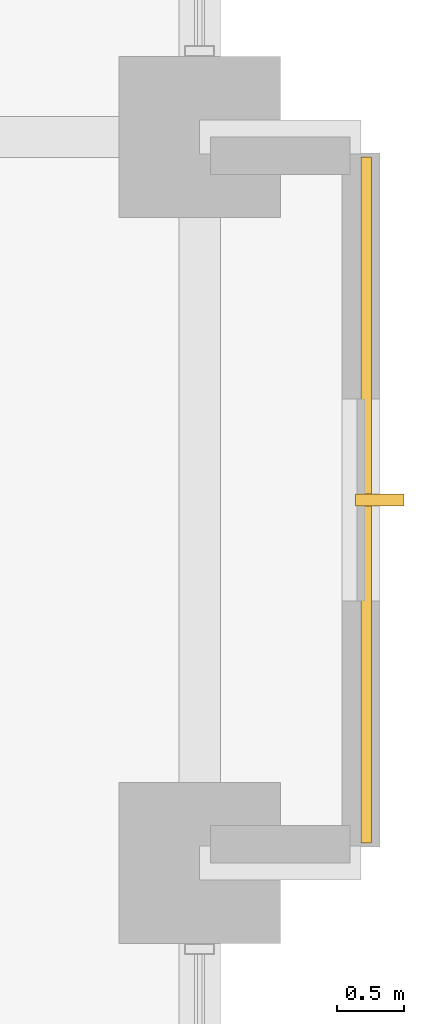
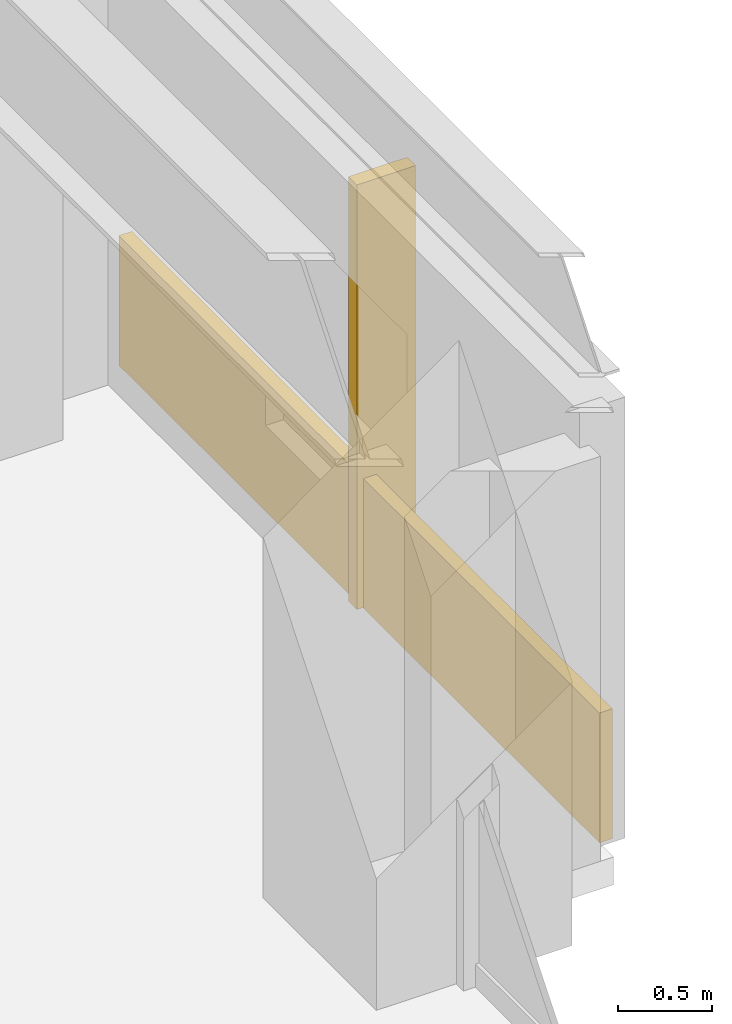
# One storey, part 25 of 26: 1 covering, 1 shading device.
"""IFC4 building model written with IfcOpenShell, lengths in metres."""

from ifc_helpers import new_model, si_unit, direction, frame, origin, origin_2d, place, context, subcontext, project, spatial, rectangle, extrude, material, layer, layer_set, type_object, element, save


model = new_model("IFC4")

# Units and contexts
model_context = context("Model", 3, precision=1e-05, world=origin(), true_north=direction((0.0, 1.0)))
body_context = subcontext(model_context, "Body", "Model", "MODEL_VIEW")
ifc_project = project(units=[si_unit("LENGTHUNIT", "METRE"), si_unit("AREAUNIT", "SQUARE_METRE"), si_unit("VOLUMEUNIT", "CUBIC_METRE"), si_unit("PLANEANGLEUNIT", "RADIAN"), si_unit("MASSUNIT", "GRAM", prefix="KILO")], contexts=[model_context])

# Site, building, storey
site_placement = place(None, origin())
site = spatial("IfcSite", under=ifc_project, at=site_placement, CompositionType="ELEMENT")
building_placement = place(site_placement, origin())
building = spatial("IfcBuilding", under=site, at=building_placement, Name="Surkhivell Harbour Commons", CompositionType="ELEMENT")
storey_placement = place(building_placement, frame((0.0, 0.0, 60.0)))
storey = spatial("IfcBuildingStorey", under=building, at=storey_placement, Name="L15", CompositionType="ELEMENT", Elevation=60.0)

# Covering
ifc_material_1 = material(Name="Saffron-gold enamelled aluminium cassette panel", Category="aluminium")
ifc_layer = layer(ifc_material_1, 0.070068359375)
ifc_layer_set = layer_set([ifc_layer], Name="Saffron-gold enamelled aluminium cassette panel")
covering_type = type_object("IfcCoveringType", Name="COV-CLAD-SAF", PredefinedType="CLADDING", material=ifc_layer_set)
covering_placement = place(storey_placement, frame((33.639892578125, 13.5, 0.0), z_axis=(0.0, 0.0, 1.0), x_axis=(1.0, 0.0, 0.0)))
element("IfcCovering", 1, at=covering_placement, inside=storey, type_object=covering_type, Name="L15 Coloured-Panel Box Spandrel Cassette 01", PredefinedType="CLADDING", context=body_context, shape_type="SweptSolid", body=[
    extrude(rectangle(XDim=0.080078125, YDim=5.10009765625, at=origin_2d()), origin(), (0.0, 0.0, 1.0), 0.840087890625),
])

# Shading device
ifc_material_2 = material(Name="Anodised pale-metal aluminium solar fin", Category="aluminium")
shading_device_type = type_object("IfcShadingDeviceType", Name="SHD-FIN-VERT", PredefinedType="USERDEFINED", material=ifc_material_2)
shading_device_placement = place(storey_placement, frame((33.739990234375, 13.5, 0.0048828125), z_axis=(0.0, 0.0, 1.0), x_axis=(1.0, 0.0, 0.0)))
element("IfcShadingDevice", 2, at=shading_device_placement, inside=storey, type_object=shading_device_type, Name="L15 Coloured-Box Solar Fin 01", ObjectType="FIN", PredefinedType="USERDEFINED", context=body_context, shape_type="SweptSolid", body=[
    extrude(rectangle(XDim=0.360107421875, YDim=0.090087890625, at=origin_2d()), origin(), (0.0, 0.0, 1.0), 2.75),
])

save(model, "model.ifc")
